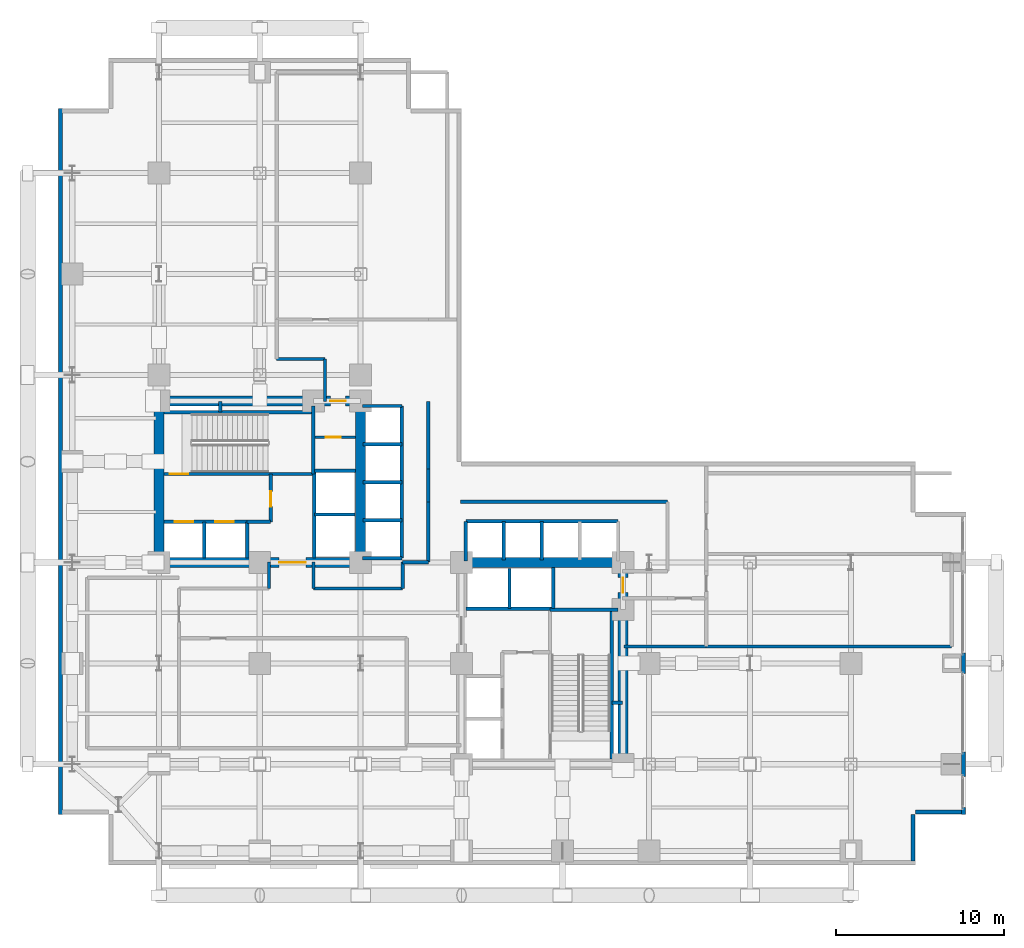
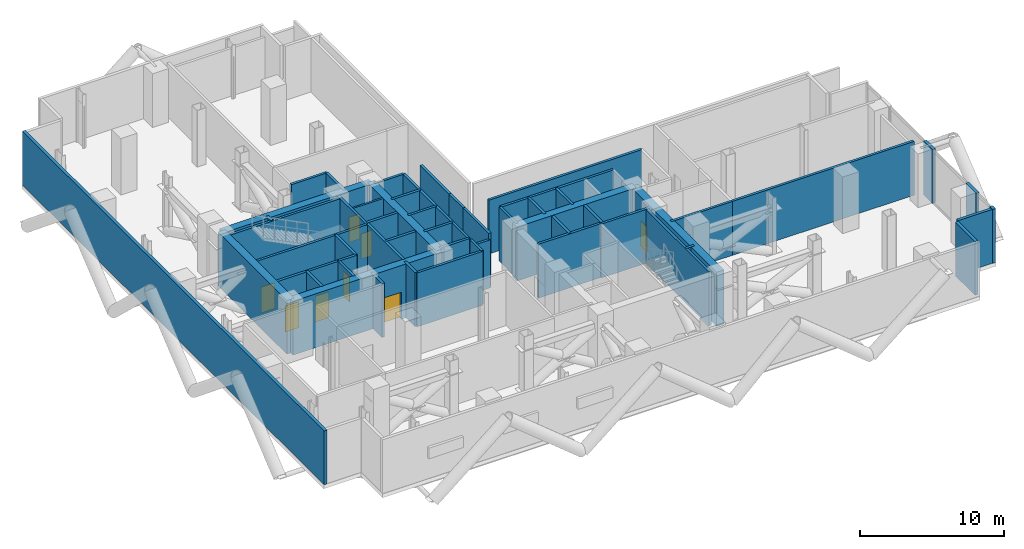
# One storey, part 8 of 10: 54 walls, 8 doors, 8 openings.
"""IFC4 building model written with IfcOpenShell, lengths in metres."""

from ifc_helpers import new_model, si_unit, direction, frame, frame_2d, origin, place, context, subcontext, project, spatial, rectangle, extrude, material, layer, layer_set, type_object, element, fill, save


model = new_model("IFC4")

# Units and contexts
model_context = context("Model", 3, precision=1e-05, world=origin(), true_north=direction((0.0, 1.0)))
body_context = subcontext(model_context, "Body", "Model", "MODEL_VIEW")
ifc_project = project(units=[si_unit("LENGTHUNIT", "METRE"), si_unit("AREAUNIT", "SQUARE_METRE"), si_unit("VOLUMEUNIT", "CUBIC_METRE"), si_unit("PLANEANGLEUNIT", "RADIAN"), si_unit("MASSUNIT", "GRAM", prefix="KILO"), si_unit("THERMODYNAMICTEMPERATUREUNIT", "KELVIN"), si_unit("POWERUNIT", "WATT")], contexts=[model_context])

# Site, building, storey
site_placement = place(None, origin())
site = spatial("IfcSite", under=ifc_project, at=site_placement, CompositionType="ELEMENT")
building_placement = place(site_placement, origin())
building = spatial("IfcBuilding", under=site, at=building_placement, Name="Svarakhadi Broadcast Tower", CompositionType="ELEMENT")
storey_placement = place(building_placement, frame((0.0, 0.0, 94.800048828125)))
storey = spatial("IfcBuildingStorey", under=building, at=storey_placement, Name="L22", CompositionType="ELEMENT", Elevation=94.800048828125)

# Walls
ifc_material_1 = material(Name="Concrete C40/50 (IS 456 M50)", Category="concrete")
ifc_layer_1 = layer(ifc_material_1, 0.239990234375)
ifc_layer_set_1 = layer_set([ifc_layer_1], Name="Concrete C40/50 (IS 456 M50)")
wall_type_1 = type_object("IfcWallType", Name="Wall_Ext_240", PredefinedType="SOLIDWALL", material=ifc_layer_set_1)
wall_1_placement = place(storey_placement, frame((0.14990234375, 3.0, 0.0), z_axis=(0.0, 0.0, 1.0), x_axis=(0.0, 1.0, 0.0)))
element("IfcWall", 1, at=wall_1_placement, inside=storey, type_object=wall_type_1, Name="L22 West Mechanical Acoustic Louvred Plant Wall", PredefinedType="SOLIDWALL", context=body_context, shape_type="SweptSolid", body=[
    extrude(rectangle(XDim=42.0, YDim=0.239990234375, at=frame_2d((21.0, 0.0))), origin(), (0.0, 0.0, 1.0), 4.574951171875),
])
wall_2_placement = place(storey_placement, frame((53.85009765625, 12.614990234375, 0.0), z_axis=(0.0, 0.0, 1.0), x_axis=(0.0, -1.0, 0.0)))
element("IfcWall", 2, at=wall_2_placement, inside=storey, type_object=wall_type_1, Name="L22 Perimeter Bronze Spandrel Closure Wall 11", PredefinedType="SOLIDWALL", context=body_context, shape_type="SweptSolid", body=[
    extrude(rectangle(XDim=1.22998046875, YDim=0.239990234375, at=frame_2d((0.614990234375, 0.0))), origin(), (0.0, 0.0, 1.0), 4.574951171875),
])
wall_3_placement = place(storey_placement, frame((53.85009765625, 6.715087890625, 0.0), z_axis=(0.0, 0.0, 1.0), x_axis=(0.0, -1.0, 0.0)))
element("IfcWall", 3, at=wall_3_placement, inside=storey, type_object=wall_type_1, Name="L22 Perimeter Bronze Spandrel Closure Wall 12", PredefinedType="SOLIDWALL", context=body_context, shape_type="SweptSolid", body=[
    extrude(rectangle(XDim=1.43017578125, YDim=0.239990234375, at=frame_2d((0.715087890625, 0.0))), origin(), (0.0, 0.0, 1.0), 4.574951171875),
])
wall_4_placement = place(storey_placement, frame((53.85009765625, 3.43505859375, 0.0), z_axis=(0.0, 0.0, 1.0), x_axis=(0.0, -1.0, 0.0)))
element("IfcWall", 4, at=wall_4_placement, inside=storey, type_object=wall_type_1, Name="L22 Perimeter Bronze Spandrel Closure Wall 13", PredefinedType="SOLIDWALL", context=body_context, shape_type="SweptSolid", body=[
    extrude(rectangle(XDim=0.43505859375, YDim=0.239990234375, at=frame_2d((0.217529296875, 0.0))), origin(), (0.0, 0.0, 1.0), 4.574951171875),
])
wall_5_placement = place(storey_placement, frame((53.72509765625, 3.14990234375, 0.0), z_axis=(0.0, 0.0, 1.0), x_axis=(-1.0, 0.0, 0.0)))
element("IfcWall", 5, at=wall_5_placement, inside=storey, type_object=wall_type_1, Name="L22 Perimeter Bronze Spandrel Closure Wall 14", PredefinedType="SOLIDWALL", context=body_context, shape_type="SweptSolid", body=[
    extrude(rectangle(XDim=2.72509765625, YDim=0.239990234375, at=frame_2d((1.362548828125, 0.0))), origin(), (0.0, 0.0, 1.0), 4.574951171875),
])
wall_6_placement = place(storey_placement, frame((50.85009765625, 3.0, 0.0), z_axis=(0.0, 0.0, 1.0), x_axis=(0.0, -1.0, 0.0)))
element("IfcWall", 6, at=wall_6_placement, inside=storey, type_object=wall_type_1, Name="L22 Perimeter Bronze Spandrel Closure Wall 15", PredefinedType="SOLIDWALL", context=body_context, shape_type="SweptSolid", body=[
    extrude(rectangle(XDim=2.7451171875, YDim=0.239990234375, at=frame_2d((1.37255859375, 0.0))), origin(), (0.0, 0.0, 1.0), 4.574951171875),
])
ifc_layer_2 = layer(ifc_material_1, 0.199951171875)
ifc_layer_set_2 = layer_set([ifc_layer_2], Name="Concrete C40/50 (IS 456 M50)")
wall_type_2 = type_object("IfcWallType", Name="Wall_Fire_200", PredefinedType="SOLIDWALL", material=ifc_layer_set_2)
for number, where, z_axis, x_axis, name in (
    (7, (9.659912109375, 26.93994140625, 0.0), (0.0, 0.0, 1.0), (0.0, 1.0, 0.0), "L22 Wet Riser Shaft East Wall"),
    (8, (32.93994140625, 9.659912109375, 0.0), (0.0, 0.0, 1.0), (1.0, 0.0, 0.0), "L22 HV Busduct Riser Shaft North Wall"),
):
    element("IfcWall", number, at=place(storey_placement, frame(where, z_axis=z_axis, x_axis=x_axis)), inside=storey, type_object=wall_type_2, Name=name, PredefinedType="SOLIDWALL", context=body_context, shape_type="SweptSolid", body=[
        extrude(rectangle(XDim=0.64013671875, YDim=0.199951171875, at=frame_2d((0.320068359375, 0.0))), origin(), (0.0, 0.0, 1.0), 4.574951171875),
    ])
for number, where, z_axis, x_axis, name in (
    (9, (12.550048828125, 16.449951171875, 0.0), (0.0, 0.0, 1.0), (0.0, 1.0, 0.0), "L22 Plant Service Corridor Wall"),
    (10, (15.199951171875, 18.02001953125, 0.0), (0.0, 0.0, 1.0), (0.0, -1.0, 0.0), "L22 Plant Service Corridor Wall"),
):
    element("IfcWall", number, at=place(storey_placement, frame(where, z_axis=z_axis, x_axis=x_axis)), inside=storey, type_object=wall_type_2, Name=name, PredefinedType="SOLIDWALL", context=body_context, shape_type="SweptSolid", body=[
        extrude(rectangle(XDim=1.570068359375, YDim=0.199951171875, at=frame_2d((0.78515625, 0.0))), origin(), (0.0, 0.0, 1.0), 4.574951171875),
    ])
wall_7_placement = place(storey_placement, frame((15.199951171875, 16.449951171875, 0.0), z_axis=(0.0, 0.0, 1.0), x_axis=(1.0, 0.0, 0.0)))
element("IfcWall", 11, at=wall_7_placement, inside=storey, type_object=wall_type_2, Name="L22 Plant Service Corridor Wall", PredefinedType="SOLIDWALL", context=body_context, shape_type="SweptSolid", body=[
    extrude(rectangle(XDim=5.300048828125, YDim=0.199951171875, at=frame_2d((2.64990234375, 0.0))), origin(), (0.0, 0.0, 1.0), 4.574951171875),
])
wall_8_placement = place(storey_placement, frame((20.5, 16.449951171875, 0.0), z_axis=(0.0, 0.0, 1.0), x_axis=(0.0, 1.0, 0.0)))
element("IfcWall", 12, at=wall_8_placement, inside=storey, type_object=wall_type_2, Name="L22 Plant Service Corridor Wall", PredefinedType="SOLIDWALL", context=body_context, shape_type="SweptSolid", body=[
    extrude(rectangle(XDim=1.570068359375, YDim=0.199951171875, at=frame_2d((0.78515625, 0.0))), origin(), (0.0, 0.0, 1.0), 4.574951171875),
])
wall_9_placement = place(storey_placement, frame((20.5, 18.02001953125, 0.0), z_axis=(0.0, 0.0, 1.0), x_axis=(1.0, 0.0, 0.0)))
element("IfcWall", 13, at=wall_9_placement, inside=storey, type_object=wall_type_2, Name="L22 Plant Service Corridor Wall", PredefinedType="SOLIDWALL", context=body_context, shape_type="SweptSolid", body=[
    extrude(rectangle(XDim=1.52001953125, YDim=0.199951171875, at=frame_2d((0.760009765625, 0.0))), origin(), (0.0, 0.0, 1.0), 4.06689453125),
])
wall_10_placement = place(storey_placement, frame((22.02001953125, 18.02001953125, 0.0), z_axis=(0.0, 0.0, 1.0), x_axis=(0.0, 1.0, 0.0)))
element("IfcWall", 14, at=wall_10_placement, inside=storey, type_object=wall_type_2, Name="L22 Plant Service Corridor Wall", PredefinedType="SOLIDWALL", context=body_context, shape_type="SweptSolid", body=[
    extrude(rectangle(XDim=3.580078125, YDim=0.199951171875, at=frame_2d((1.7900390625, 0.0))), origin(), (0.0, 0.0, 1.0), 4.574951171875),
])
wall_11_placement = place(storey_placement, frame((22.02001953125, 21.60009765625, 0.0), z_axis=(0.0, 0.0, 1.0), x_axis=(0.0, 1.0, 0.0)))
element("IfcWall", 15, at=wall_11_placement, inside=storey, type_object=wall_type_2, Name="L22 Plant Service Corridor Wall", PredefinedType="SOLIDWALL", context=body_context, shape_type="SweptSolid", body=[
    extrude(rectangle(XDim=1.949951171875, YDim=0.199951171875, at=frame_2d((0.97509765625, 0.0))), origin(), (0.0, 0.0, 1.0), 4.574951171875),
])
wall_12_placement = place(storey_placement, frame((22.02001953125, 23.550048828125, 0.0), z_axis=(0.0, 0.0, 1.0), x_axis=(0.0, 1.0, 0.0)))
element("IfcWall", 16, at=wall_12_placement, inside=storey, type_object=wall_type_2, Name="L22 Plant Service Corridor Wall", PredefinedType="SOLIDWALL", context=body_context, shape_type="SweptSolid", body=[
    extrude(rectangle(XDim=4.030029296875, YDim=0.199951171875, at=frame_2d((2.01513671875, 0.0))), origin(), (0.0, 0.0, 1.0), 4.574951171875),
])
wall_13_placement = place(storey_placement, frame((15.8798828125, 27.580078125, 0.0), z_axis=(0.0, 0.0, 1.0), x_axis=(0.0, 1.0, 0.0)))
element("IfcWall", 17, at=wall_13_placement, inside=storey, type_object=wall_type_2, Name="L22 Plant Service Corridor Wall", PredefinedType="SOLIDWALL", context=body_context, shape_type="SweptSolid", body=[
    extrude(rectangle(XDim=2.52001953125, YDim=0.199951171875, at=frame_2d((1.260009765625, 0.0))), origin(), (0.0, 0.0, 1.0), 4.574951171875),
])
wall_14_placement = place(storey_placement, frame((15.8798828125, 30.10009765625, 0.0), z_axis=(0.0, 0.0, 1.0), x_axis=(-1.0, 0.0, 0.0)))
element("IfcWall", 18, at=wall_14_placement, inside=storey, type_object=wall_type_2, Name="L22 Plant Service Corridor Wall", PredefinedType="SOLIDWALL", context=body_context, shape_type="SweptSolid", body=[
    extrude(rectangle(XDim=2.8798828125, YDim=0.199951171875, at=frame_2d((1.43994140625, 0.0))), origin(), (0.0, 0.0, 1.0), 4.574951171875),
])
wall_15_placement = place(storey_placement, frame((36.25, 21.60009765625, 0.0), z_axis=(0.0, 0.0, 1.0), x_axis=(-1.0, 0.0, 0.0)))
element("IfcWall", 19, at=wall_15_placement, inside=storey, type_object=wall_type_2, Name="L22 Plant Service Corridor Wall", PredefinedType="SOLIDWALL", context=body_context, shape_type="SweptSolid", body=[
    extrude(rectangle(XDim=12.300048828125, YDim=0.199951171875, at=frame_2d((6.14990234375, 0.0))), origin(), (0.0, 0.0, 1.0), 4.574951171875),
])
wall_16_placement = place(storey_placement, frame((38.550048828125, 13.0, 0.0), z_axis=(0.0, 0.0, 1.0), x_axis=(1.0, 0.0, 0.0)))
element("IfcWall", 20, at=wall_16_placement, inside=storey, type_object=wall_type_2, Name="L22 Pressurised Fire Refuge Area East Wall", PredefinedType="SOLIDWALL", context=body_context, shape_type="SweptSolid", body=[
    extrude(rectangle(XDim=14.599853515625, YDim=0.199951171875, at=frame_2d((7.2998046875, 0.0))), origin(), (0.0, 0.0, 1.0), 4.574951171875),
])
wall_17_placement = place(storey_placement, frame((33.64990234375, 13.0, 0.0), z_axis=(0.0, 0.0, 1.0), x_axis=(1.0, 0.0, 0.0)))
element("IfcWall", 21, at=wall_17_placement, inside=storey, type_object=wall_type_2, Name="L22 Stairwell Pressurisation Fan Plant Room Wall", PredefinedType="SOLIDWALL", context=body_context, shape_type="SweptSolid", body=[
    extrude(rectangle(XDim=4.900146484375, YDim=0.199951171875, at=frame_2d((2.4501953125, 0.0))), origin(), (0.0, 0.0, 1.0), 4.574951171875),
])

# Wall, opening, door
ifc_material_2 = material(Name="Autoclaved Aerated Concrete Blockwork 150 mm", Category="masonry")
ifc_layer_3 = layer(ifc_material_2, 0.14990234375)
ifc_layer_set_3 = layer_set([ifc_layer_3], Name="Autoclaved Aerated Concrete Blockwork 150 mm")
wall_type_3 = type_object("IfcWallType", Name="Wall_Part_150", PredefinedType="PARTITIONING", material=ifc_layer_set_3)
wall_18_placement = place(storey_placement, frame((15.280029296875, 25.43994140625, 0.0), z_axis=(0.0, 0.0, 1.0), x_axis=(1.0, 0.0, 0.0)))
wall_18 = element("IfcWall", 22, at=wall_18_placement, inside=storey, type_object=wall_type_3, Name="L22 West Core Service Split Wall", PredefinedType="PARTITIONING", context=body_context, shape_type="SweptSolid", body=[
    extrude(rectangle(XDim=2.419921875, YDim=0.14990234375, at=frame_2d((1.2099609375, 0.0))), origin(), (0.0, 0.0, 1.0), 4.574951171875),
])
opening_1_placement = place(wall_18_placement, frame((0.64990234375, 0.0, 0.0)))
opening_1 = element("IfcOpeningElement", 23, at=opening_1_placement, cuts=wall_18, Name="Opening D-04", PredefinedType="OPENING", context=body_context, shape_type="SweptSolid", body=[
    extrude(rectangle(XDim=0.89990234375, YDim=2.14990234375, at=frame_2d((0.449951171875, 1.074951171875))), frame((0.0, 0.0849609375, 0.0), z_axis=(0.0, -1.0, 0.0), x_axis=(1.0, 0.0, 0.0)), (0.0, 0.0, 1.0), 0.169921875),
])
ifc_material_3 = material(Name="Galvanised Powder-Coated Fire-Rated Steel Leaf", Category="steel")
door_type_1 = type_object("IfcDoorType", Name="Door_Fire_D04", OperationType="SINGLE_SWING_RIGHT", PredefinedType="DOOR", material=ifc_material_3)
door_1_placement = place(opening_1_placement, origin())
door_1 = element("IfcDoor", 24, at=door_1_placement, inside=storey, type_object=door_type_1, Name="L22 West Core Inner Store Door", OperationType="SINGLE_SWING_RIGHT", OverallHeight=2.14990234375, OverallWidth=0.89990234375, PredefinedType="DOOR", context=body_context, shape_type="SweptSolid", body=[
    extrude(rectangle(XDim=0.89990234375, YDim=2.14990234375, at=frame_2d((0.449951171875, 1.074951171875))), frame((0.0, 0.02490234375, 0.0), z_axis=(0.0, -1.0, 0.0), x_axis=(1.0, 0.0, 0.0)), (0.0, 0.0, 1.0), 0.050048828125),
])
fill(opening_1, door_1)

ifc_material_4 = material(Name="Concrete C50/60 (IS 456 M60)", Category="concrete")
ifc_layer_4 = layer(ifc_material_4, 0.199951171875)
ifc_layer_set_4 = layer_set([ifc_layer_4], Name="Concrete C50/60 (IS 456 M60)")
wall_type_4 = type_object("IfcWallType", Name="Wall_Shear_200", PredefinedType="SHEAR", material=ifc_layer_set_4)
wall_19_placement = place(storey_placement, frame((6.300048828125, 23.260009765625, 0.0), z_axis=(0.0, 0.0, 1.0), x_axis=(1.0, 0.0, 0.0)))
wall_19 = element("IfcWall", 25, at=wall_19_placement, inside=storey, type_object=wall_type_4, Name="L22 Stair ST-01 South RC Shaft Wall", PredefinedType="SHEAR", context=body_context, shape_type="SweptSolid", body=[
    extrude(rectangle(XDim=8.8798828125, YDim=0.199951171875, at=frame_2d((4.43994140625, 0.0))), origin(), (0.0, 0.0, 1.0), 4.574951171875),
])
opening_2_placement = place(wall_19_placement, frame((0.35009765625, 0.0, 0.0)))
opening_2 = element("IfcOpeningElement", 26, at=opening_2_placement, cuts=wall_19, Name="Opening D-01", PredefinedType="OPENING", context=body_context, shape_type="SweptSolid", body=[
    extrude(rectangle(XDim=1.10009765625, YDim=2.199951171875, at=frame_2d((0.550048828125, 1.10009765625))), frame((0.0, 0.10986328125, 0.0), z_axis=(0.0, -1.0, 0.0), x_axis=(1.0, 0.0, 0.0)), (0.0, 0.0, 1.0), 0.219970703125),
])
door_type_2 = type_object("IfcDoorType", Name="Door_Stair_D01", OperationType="SINGLE_SWING_LEFT", PredefinedType="DOOR", material=ifc_material_3)
door_2_placement = place(opening_2_placement, origin())
door_2 = element("IfcDoor", 27, at=door_2_placement, inside=storey, type_object=door_type_2, Name="L22 Protected Exit Stair ST-01 Fire Door", OperationType="SINGLE_SWING_LEFT", OverallHeight=2.199951171875, OverallWidth=1.10009765625, PredefinedType="DOOR", context=body_context, shape_type="SweptSolid", body=[
    extrude(rectangle(XDim=1.10009765625, YDim=2.199951171875, at=frame_2d((0.550048828125, 1.10009765625))), frame((0.0, 0.02490234375, 0.0), z_axis=(0.0, -1.0, 0.0), x_axis=(1.0, 0.0, 0.0)), (0.0, 0.0, 1.0), 0.050048828125),
])
fill(opening_2, door_2)

# Walls
wall_20_placement = place(storey_placement, frame((6.300048828125, 26.93994140625, 0.0), z_axis=(0.0, 0.0, 1.0), x_axis=(1.0, 0.0, 0.0)))
element("IfcWall", 28, at=wall_20_placement, inside=storey, type_object=wall_type_4, Name="L22 Stair ST-01 North RC Shaft Wall", PredefinedType="SHEAR", context=body_context, shape_type="SweptSolid", body=[
    extrude(rectangle(XDim=8.8798828125, YDim=0.199951171875, at=frame_2d((4.43994140625, 0.0))), origin(), (0.0, 0.0, 1.0), 4.574951171875),
])
wall_21_placement = place(storey_placement, frame((15.179931640625, 23.260009765625, 0.0), z_axis=(0.0, 0.0, 1.0), x_axis=(0.0, 1.0, 0.0)))
element("IfcWall", 29, at=wall_21_placement, inside=storey, type_object=wall_type_4, Name="L22 Stair ST-01 East RC Shaft Wall", PredefinedType="SHEAR", context=body_context, shape_type="SweptSolid", body=[
    extrude(rectangle(XDim=4.0400390625, YDim=0.199951171875, at=frame_2d((2.02001953125, 0.0))), origin(), (0.0, 0.0, 1.0), 4.574951171875),
])
wall_22_placement = place(storey_placement, frame((32.93994140625, 6.300048828125, 0.0), z_axis=(0.0, 0.0, 1.0), x_axis=(0.0, 1.0, 0.0)))
element("IfcWall", 30, at=wall_22_placement, inside=storey, type_object=wall_type_4, Name="L22 Stair ST-02 East RC Shaft Wall", PredefinedType="SHEAR", context=body_context, shape_type="SweptSolid", body=[
    extrude(rectangle(XDim=8.8798828125, YDim=0.199951171875, at=frame_2d((4.43994140625, 0.0))), origin(), (0.0, 0.0, 1.0), 4.574951171875),
])
wall_23_placement = place(storey_placement, frame((29.260009765625, 15.179931640625, 0.0), z_axis=(0.0, 0.0, 1.0), x_axis=(1.0, 0.0, 0.0)))
element("IfcWall", 31, at=wall_23_placement, inside=storey, type_object=wall_type_4, Name="L22 Stair ST-02 North RC Shaft Wall", PredefinedType="SHEAR", context=body_context, shape_type="SweptSolid", body=[
    extrude(rectangle(XDim=4.0400390625, YDim=0.199951171875, at=frame_2d((2.02001953125, 0.0))), origin(), (0.0, 0.0, 1.0), 4.574951171875),
])

# Wall, openings, doors
wall_24_placement = place(storey_placement, frame((6.300048828125, 20.419921875, 0.0), z_axis=(0.0, 0.0, 1.0), x_axis=(1.0, 0.0, 0.0)))
wall_24 = element("IfcWall", 32, at=wall_24_placement, inside=storey, type_object=wall_type_4, Name="L22 Firefighting Lift LF-01/02 Shaft Wall", PredefinedType="SHEAR", context=body_context, shape_type="SweptSolid", body=[
    extrude(rectangle(XDim=4.949951171875, YDim=0.199951171875, at=frame_2d((2.47509765625, 0.0))), origin(), (0.0, 0.0, 1.0), 4.574951171875),
])
opening_3_placement = place(wall_24_placement, frame((0.64990234375, 0.0, 0.0)))
opening_3 = element("IfcOpeningElement", 33, at=opening_3_placement, cuts=wall_24, Name="Opening LD-01", PredefinedType="OPENING", context=body_context, shape_type="SweptSolid", body=[
    extrude(rectangle(XDim=1.10009765625, YDim=2.199951171875, at=frame_2d((0.550048828125, 1.10009765625))), frame((0.0, 0.10986328125, 0.0), z_axis=(0.0, -1.0, 0.0), x_axis=(1.0, 0.0, 0.0)), (0.0, 0.0, 1.0), 0.219970703125),
])
opening_4_placement = place(wall_24_placement, frame((3.050048828125, 0.0, 0.0)))
opening_4 = element("IfcOpeningElement", 34, at=opening_4_placement, cuts=wall_24, Name="Opening LD-01", PredefinedType="OPENING", context=body_context, shape_type="SweptSolid", body=[
    extrude(rectangle(XDim=1.10009765625, YDim=2.199951171875, at=frame_2d((0.550048828125, 1.10009765625))), frame((0.0, 0.10986328125, 0.0), z_axis=(0.0, -1.0, 0.0), x_axis=(1.0, 0.0, 0.0)), (0.0, 0.0, 1.0), 0.219970703125),
])
door_type_3 = type_object("IfcDoorType", Name="Door_Lift_LD01", OperationType="SLIDING_TO_LEFT", PredefinedType="DOOR", material=ifc_material_3)
door_3_placement = place(opening_3_placement, origin())
door_3 = element("IfcDoor", 35, at=door_3_placement, inside=storey, type_object=door_type_3, Name="L22 Firefighting Lift LF-01 Landing Door", OperationType="SLIDING_TO_LEFT", OverallHeight=2.199951171875, OverallWidth=1.10009765625, PredefinedType="DOOR", context=body_context, shape_type="SweptSolid", body=[
    extrude(rectangle(XDim=1.10009765625, YDim=2.199951171875, at=frame_2d((0.550048828125, 1.10009765625))), frame((0.0, 0.02490234375, 0.0), z_axis=(0.0, -1.0, 0.0), x_axis=(1.0, 0.0, 0.0)), (0.0, 0.0, 1.0), 0.050048828125),
])
fill(opening_3, door_3)
door_4_placement = place(opening_4_placement, origin())
door_4 = element("IfcDoor", 36, at=door_4_placement, inside=storey, type_object=door_type_3, Name="L22 Firefighting Lift LF-02 Landing Door", OperationType="SLIDING_TO_LEFT", OverallHeight=2.199951171875, OverallWidth=1.10009765625, PredefinedType="DOOR", context=body_context, shape_type="SweptSolid", body=[
    extrude(rectangle(XDim=1.10009765625, YDim=2.199951171875, at=frame_2d((0.550048828125, 1.10009765625))), frame((0.0, 0.02490234375, 0.0), z_axis=(0.0, -1.0, 0.0), x_axis=(1.0, 0.0, 0.0)), (0.0, 0.0, 1.0), 0.050048828125),
])
fill(opening_4, door_4)

# Walls
for number, where, z_axis, x_axis, name in (
    (37, (8.699951171875, 18.25, 0.0), (0.0, 0.0, 1.0), (0.0, 1.0, 0.0), "L22 Firefighting Lift LF-01/02 Divider Wall"),
    (38, (11.25, 18.25, 0.0), (0.0, 0.0, 1.0), (0.0, 1.0, 0.0), "L22 Firefighting Lift LF-02 East Wall"),
):
    element("IfcWall", number, at=place(storey_placement, frame(where, z_axis=z_axis, x_axis=x_axis)), inside=storey, type_object=wall_type_4, Name=name, PredefinedType="SHEAR", context=body_context, shape_type="SweptSolid", body=[
        extrude(rectangle(XDim=2.169921875, YDim=0.199951171875, at=frame_2d((1.0849609375, 0.0))), origin(), (0.0, 0.0, 1.0), 4.574951171875),
    ])
wall_25_placement = place(storey_placement, frame((11.25, 20.419921875, 0.0), z_axis=(0.0, 0.0, 1.0), x_axis=(1.0, 0.0, 0.0)))
element("IfcWall", 39, at=wall_25_placement, inside=storey, type_object=wall_type_4, Name="L22 West Firefighting Lobby South Wall", PredefinedType="SHEAR", context=body_context, shape_type="SweptSolid", body=[
    extrude(rectangle(XDim=1.39990234375, YDim=0.199951171875, at=frame_2d((0.699951171875, 0.0))), origin(), (0.0, 0.0, 1.0), 4.574951171875),
])

# Wall, opening, door
wall_26_placement = place(storey_placement, frame((12.64990234375, 20.419921875, 0.0), z_axis=(0.0, 0.0, 1.0), x_axis=(0.0, 1.0, 0.0)))
wall_26 = element("IfcWall", 40, at=wall_26_placement, inside=storey, type_object=wall_type_4, Name="L22 West Firefighting Lobby East Wall", PredefinedType="SHEAR", context=body_context, shape_type="SweptSolid", body=[
    extrude(rectangle(XDim=2.840087890625, YDim=0.199951171875, at=frame_2d((1.419921875, 0.0))), origin(), (0.0, 0.0, 1.0), 4.574951171875),
])
opening_5_placement = place(wall_26_placement, frame((0.89990234375, 0.0, 0.0)))
opening_5 = element("IfcOpeningElement", 41, at=opening_5_placement, cuts=wall_26, Name="Opening D-04", PredefinedType="OPENING", context=body_context, shape_type="SweptSolid", body=[
    extrude(rectangle(XDim=0.89990234375, YDim=2.14990234375, at=frame_2d((0.449951171875, 1.074951171875))), frame((0.0, 0.10986328125, 0.0), z_axis=(0.0, -1.0, 0.0), x_axis=(1.0, 0.0, 0.0)), (0.0, 0.0, 1.0), 0.219970703125),
])
door_5_placement = place(opening_5_placement, origin())
door_5 = element("IfcDoor", 42, at=door_5_placement, inside=storey, type_object=door_type_1, Name="L22 West Firefighting Lobby Fire Door", OperationType="SINGLE_SWING_RIGHT", OverallHeight=2.14990234375, OverallWidth=0.89990234375, PredefinedType="DOOR", context=body_context, shape_type="SweptSolid", body=[
    extrude(rectangle(XDim=0.89990234375, YDim=2.14990234375, at=frame_2d((0.449951171875, 1.074951171875))), frame((0.0, 0.02490234375, 0.0), z_axis=(0.0, -1.0, 0.0), x_axis=(1.0, 0.0, 0.0)), (0.0, 0.0, 1.0), 0.050048828125),
])
fill(opening_5, door_5)

# Walls
wall_27_placement = place(storey_placement, frame((15.25, 18.25, 0.0), z_axis=(0.0, 0.0, 1.0), x_axis=(0.0, 1.0, 0.0)))
element("IfcWall", 43, at=wall_27_placement, inside=storey, type_object=wall_type_4, Name="L22 High-Rise Lift LF-13/14 West Shaft Wall", PredefinedType="SHEAR", context=body_context, shape_type="SweptSolid", body=[
    extrude(rectangle(XDim=5.199951171875, YDim=0.199951171875, at=frame_2d((2.60009765625, 0.0))), origin(), (0.0, 0.0, 1.0), 4.574951171875),
])
wall_28_placement = place(storey_placement, frame((15.25, 20.85009765625, 0.0), z_axis=(0.0, 0.0, 1.0), x_axis=(1.0, 0.0, 0.0)))
element("IfcWall", 44, at=wall_28_placement, inside=storey, type_object=wall_type_4, Name="L22 High-Rise Lift LF-13/14 Divider", PredefinedType="SHEAR", context=body_context, shape_type="SweptSolid", body=[
    extrude(rectangle(XDim=2.39990234375, YDim=0.199951171875, at=frame_2d((1.199951171875, 0.0))), origin(), (0.0, 0.0, 1.0), 4.574951171875),
])
wall_29_placement = place(storey_placement, frame((15.25, 23.449951171875, 0.0), z_axis=(0.0, 0.0, 1.0), x_axis=(1.0, 0.0, 0.0)))
element("IfcWall", 45, at=wall_29_placement, inside=storey, type_object=wall_type_4, Name="L22 High-Rise Lift LF-13/14 North Wall", PredefinedType="SHEAR", context=body_context, shape_type="SweptSolid", body=[
    extrude(rectangle(XDim=2.449951171875, YDim=0.199951171875, at=frame_2d((1.22509765625, 0.0))), origin(), (0.0, 0.0, 1.0), 4.574951171875),
])
wall_30_placement = place(storey_placement, frame((24.25, 15.25, 0.0), z_axis=(0.0, 0.0, 1.0), x_axis=(1.0, 0.0, 0.0)))
element("IfcWall", 46, at=wall_30_placement, inside=storey, type_object=wall_type_4, Name="L22 High-Rise Lift LF-15/16 South Shaft Wall", PredefinedType="SHEAR", context=body_context, shape_type="SweptSolid", body=[
    extrude(rectangle(XDim=5.199951171875, YDim=0.199951171875, at=frame_2d((2.60009765625, 0.0))), origin(), (0.0, 0.0, 1.0), 4.574951171875),
])
wall_31_placement = place(storey_placement, frame((26.85009765625, 15.25, 0.0), z_axis=(0.0, 0.0, 1.0), x_axis=(0.0, 1.0, 0.0)))
element("IfcWall", 47, at=wall_31_placement, inside=storey, type_object=wall_type_4, Name="L22 High-Rise Lift LF-15/16 Divider", PredefinedType="SHEAR", context=body_context, shape_type="SweptSolid", body=[
    extrude(rectangle(XDim=2.39990234375, YDim=0.199951171875, at=frame_2d((1.199951171875, 0.0))), origin(), (0.0, 0.0, 1.0), 4.574951171875),
])
wall_32_placement = place(storey_placement, frame((29.449951171875, 15.25, 0.0), z_axis=(0.0, 0.0, 1.0), x_axis=(0.0, 1.0, 0.0)))
element("IfcWall", 48, at=wall_32_placement, inside=storey, type_object=wall_type_4, Name="L22 High-Rise Lift LF-15/16 East Wall", PredefinedType="SHEAR", context=body_context, shape_type="SweptSolid", body=[
    extrude(rectangle(XDim=2.449951171875, YDim=0.199951171875, at=frame_2d((1.22509765625, 0.0))), origin(), (0.0, 0.0, 1.0), 4.574951171875),
])
for number, where, z_axis, x_axis, name in (
    (49, (18.10009765625, 27.300048828125, 0.0), (0.0, 0.0, 1.0), (1.0, 0.0, 0.0), "L22 Bank A North Shaft Wall"),
    (50, (18.10009765625, 18.25, 0.0), (0.0, 0.0, 1.0), (1.0, 0.0, 0.0), "L22 Bank A South Shaft Wall"),
):
    element("IfcWall", number, at=place(storey_placement, frame(where, z_axis=z_axis, x_axis=x_axis)), inside=storey, type_object=wall_type_4, Name=name, PredefinedType="SHEAR", context=body_context, shape_type="SweptSolid", body=[
        extrude(rectangle(XDim=2.349853515625, YDim=0.199951171875, at=frame_2d((1.1748046875, 0.0))), origin(), (0.0, 0.0, 1.0), 4.574951171875),
    ])
wall_33_placement = place(storey_placement, frame((20.449951171875, 18.25, 0.0), z_axis=(0.0, 0.0, 1.0), x_axis=(0.0, 1.0, 0.0)))
element("IfcWall", 51, at=wall_33_placement, inside=storey, type_object=wall_type_4, Name="L22 Bank A East Landing Wall", PredefinedType="SHEAR", context=body_context, shape_type="SweptSolid", body=[
    extrude(rectangle(XDim=9.050048828125, YDim=0.199951171875, at=frame_2d((4.52490234375, 0.0))), origin(), (0.0, 0.0, 1.0), 4.574951171875),
])
for number, where, z_axis, x_axis, name in (
    (52, (18.14990234375, 20.52001953125, 0.0), (0.0, 0.0, 1.0), (1.0, 0.0, 0.0), "L22 Bank A Divider"),
    (53, (18.14990234375, 22.77001953125, 0.0), (0.0, 0.0, 1.0), (1.0, 0.0, 0.0), "L22 Bank A Divider"),
    (54, (18.14990234375, 25.02001953125, 0.0), (0.0, 0.0, 1.0), (1.0, 0.0, 0.0), "L22 Bank A Divider"),
):
    element("IfcWall", number, at=place(storey_placement, frame(where, z_axis=z_axis, x_axis=x_axis)), inside=storey, type_object=wall_type_4, Name=name, PredefinedType="SHEAR", context=body_context, shape_type="SweptSolid", body=[
        extrude(rectangle(XDim=2.300048828125, YDim=0.199951171875, at=frame_2d((1.14990234375, 0.0))), origin(), (0.0, 0.0, 1.0), 4.574951171875),
    ])
wall_34_placement = place(storey_placement, frame((24.25, 18.10009765625, 0.0), z_axis=(0.0, 0.0, 1.0), x_axis=(0.0, 1.0, 0.0)))
element("IfcWall", 55, at=wall_34_placement, inside=storey, type_object=wall_type_4, Name="L22 Bank B West Shaft Wall", PredefinedType="SHEAR", context=body_context, shape_type="SweptSolid", body=[
    extrude(rectangle(XDim=2.349853515625, YDim=0.199951171875, at=frame_2d((1.1748046875, 0.0))), origin(), (0.0, 0.0, 1.0), 4.574951171875),
])
wall_35_placement = place(storey_placement, frame((24.25, 20.449951171875, 0.0), z_axis=(0.0, 0.0, 1.0), x_axis=(1.0, 0.0, 0.0)))
element("IfcWall", 56, at=wall_35_placement, inside=storey, type_object=wall_type_4, Name="L22 Bank B North Landing Wall", PredefinedType="SHEAR", context=body_context, shape_type="SweptSolid", body=[
    extrude(rectangle(XDim=9.050048828125, YDim=0.199951171875, at=frame_2d((4.52490234375, 0.0))), origin(), (0.0, 0.0, 1.0), 4.574951171875),
])
for number, where, z_axis, x_axis, name in (
    (57, (26.52001953125, 18.14990234375, 0.0), (0.0, 0.0, 1.0), (0.0, 1.0, 0.0), "L22 Bank B Divider"),
    (58, (28.77001953125, 18.14990234375, 0.0), (0.0, 0.0, 1.0), (0.0, 1.0, 0.0), "L22 Bank B Divider"),
):
    element("IfcWall", number, at=place(storey_placement, frame(where, z_axis=z_axis, x_axis=x_axis)), inside=storey, type_object=wall_type_4, Name=name, PredefinedType="SHEAR", context=body_context, shape_type="SweptSolid", body=[
        extrude(rectangle(XDim=2.300048828125, YDim=0.199951171875, at=frame_2d((1.14990234375, 0.0))), origin(), (0.0, 0.0, 1.0), 4.574951171875),
    ])

# Wall, opening, door
ifc_material_5 = material(Name="Concrete C60/75 (IS 456 M70)", Category="concrete")
ifc_layer_5 = layer(ifc_material_5, 0.60009765625)
ifc_layer_set_5 = layer_set([ifc_layer_5], Name="Concrete C60/75 (IS 456 M70)")
wall_type_5 = type_object("IfcWallType", Name="Wall_Shear_600", PredefinedType="SHEAR", material=ifc_layer_set_5)
wall_36_placement = place(storey_placement, frame((6.0, 18.0, 0.0), z_axis=(0.0, 0.0, 1.0), x_axis=(1.0, 0.0, 0.0)))
wall_36 = element("IfcWall", 59, at=wall_36_placement, inside=storey, type_object=wall_type_5, Name="L22 West Core South Shear Wall", PredefinedType="SHEAR", context=body_context, shape_type="SweptSolid", body=[
    extrude(rectangle(XDim=12.0, YDim=0.60009765625, at=frame_2d((6.0, 0.0))), origin(), (0.0, 0.0, 1.0), 4.574951171875),
])
opening_6_placement = place(wall_36_placement, frame((7.14990234375, 0.0, 0.0)))
opening_6 = element("IfcOpeningElement", 60, at=opening_6_placement, cuts=wall_36, Name="Opening D-05", PredefinedType="OPENING", context=body_context, shape_type="SweptSolid", body=[
    extrude(rectangle(XDim=1.60009765625, YDim=2.300048828125, at=frame_2d((0.800048828125, 1.14990234375))), frame((0.0, 0.31005859375, 0.0), z_axis=(0.0, -1.0, 0.0), x_axis=(1.0, 0.0, 0.0)), (0.0, 0.0, 1.0), 0.6201171875),
])
ifc_material_6 = material(Name="Anodised Bronze Aluminium AA 6063-T6", Category="aluminium")
door_type_4 = type_object("IfcDoorType", Name="Door_Lobby_D05", OperationType="DOUBLE_DOOR_SLIDING", PredefinedType="DOOR", material=ifc_material_6)
door_6_placement = place(opening_6_placement, origin())
door_6 = element("IfcDoor", 61, at=door_6_placement, inside=storey, type_object=door_type_4, Name="L22 West Core Passenger Lift Lobby Entrance Door", OperationType="DOUBLE_DOOR_SLIDING", OverallHeight=2.300048828125, OverallWidth=1.60009765625, PredefinedType="DOOR", context=body_context, shape_type="SweptSolid", body=[
    extrude(rectangle(XDim=1.60009765625, YDim=2.300048828125, at=frame_2d((0.800048828125, 1.14990234375))), frame((0.0, 0.02490234375, 0.0), z_axis=(0.0, -1.0, 0.0), x_axis=(1.0, 0.0, 0.0)), (0.0, 0.0, 1.0), 0.050048828125),
])
fill(opening_6, door_6)

wall_37_placement = place(storey_placement, frame((6.0, 27.60009765625, 0.0), z_axis=(0.0, 0.0, 1.0), x_axis=(1.0, 0.0, 0.0)))
wall_37 = element("IfcWall", 62, at=wall_37_placement, inside=storey, type_object=wall_type_5, Name="L22 West Core North Shear Wall", PredefinedType="SHEAR", context=body_context, shape_type="SweptSolid", body=[
    extrude(rectangle(XDim=12.0, YDim=0.60009765625, at=frame_2d((6.0, 0.0))), origin(), (0.0, 0.0, 1.0), 4.574951171875),
])
opening_7_placement = place(wall_37_placement, frame((10.199951171875, 0.0, 0.0)))
opening_7 = element("IfcOpeningElement", 63, at=opening_7_placement, cuts=wall_37, Name="Opening D-03", PredefinedType="OPENING", context=body_context, shape_type="SweptSolid", body=[
    extrude(rectangle(XDim=0.89990234375, YDim=2.14990234375, at=frame_2d((0.449951171875, 1.074951171875))), frame((0.0, 0.31005859375, 0.0), z_axis=(0.0, -1.0, 0.0), x_axis=(1.0, 0.0, 0.0)), (0.0, 0.0, 1.0), 0.6201171875),
])
door_type_5 = type_object("IfcDoorType", Name="Door_Fire_D03", OperationType="SINGLE_SWING_LEFT", PredefinedType="DOOR", material=ifc_material_3)
door_7_placement = place(opening_7_placement, origin())
door_7 = element("IfcDoor", 64, at=door_7_placement, inside=storey, type_object=door_type_5, Name="L22 West Core Outer Store Door", OperationType="SINGLE_SWING_LEFT", OverallHeight=2.14990234375, OverallWidth=0.89990234375, PredefinedType="DOOR", context=body_context, shape_type="SweptSolid", body=[
    extrude(rectangle(XDim=0.89990234375, YDim=2.14990234375, at=frame_2d((0.449951171875, 1.074951171875))), frame((0.0, 0.02490234375, 0.0), z_axis=(0.0, -1.0, 0.0), x_axis=(1.0, 0.0, 0.0)), (0.0, 0.0, 1.0), 0.050048828125),
])
fill(opening_7, door_7)

# Walls
for number, where, z_axis, x_axis, name in (
    (65, (6.0, 18.0, 0.0), (0.0, 0.0, 1.0), (0.0, 1.0, 0.0), "L22 West Core West Shear Wall"),
    (66, (18.0, 18.0, 0.0), (0.0, 0.0, 1.0), (0.0, 1.0, 0.0), "L22 West Core East Shear Wall"),
    (67, (24.0, 18.0, 0.0), (0.0, 0.0, 1.0), (1.0, 0.0, 0.0), "L22 East Core North Shear Wall"),
):
    element("IfcWall", number, at=place(storey_placement, frame(where, z_axis=z_axis, x_axis=x_axis)), inside=storey, type_object=wall_type_5, Name=name, PredefinedType="SHEAR", context=body_context, shape_type="SweptSolid", body=[
        extrude(rectangle(XDim=9.60009765625, YDim=0.60009765625, at=frame_2d((4.800048828125, 0.0))), origin(), (0.0, 0.0, 1.0), 4.574951171875),
    ])

# Wall, opening, door
wall_38_placement = place(storey_placement, frame((33.60009765625, 6.0, 0.0), z_axis=(0.0, 0.0, 1.0), x_axis=(0.0, 1.0, 0.0)))
wall_38 = element("IfcWall", 68, at=wall_38_placement, inside=storey, type_object=wall_type_5, Name="L22 East Core East Shear Wall", PredefinedType="SHEAR", context=body_context, shape_type="SweptSolid", body=[
    extrude(rectangle(XDim=12.0, YDim=0.60009765625, at=frame_2d((6.0, 0.0))), origin(), (0.0, 0.0, 1.0), 4.574951171875),
])
opening_8_placement = place(wall_38_placement, frame((10.199951171875, 0.0, 0.0)))
opening_8 = element("IfcOpeningElement", 69, at=opening_8_placement, cuts=wall_38, Name="Opening D-03", PredefinedType="OPENING", context=body_context, shape_type="SweptSolid", body=[
    extrude(rectangle(XDim=0.89990234375, YDim=2.14990234375, at=frame_2d((0.449951171875, 1.074951171875))), frame((0.0, 0.31005859375, 0.0), z_axis=(0.0, -1.0, 0.0), x_axis=(1.0, 0.0, 0.0)), (0.0, 0.0, 1.0), 0.6201171875),
])
door_8_placement = place(opening_8_placement, origin())
door_8 = element("IfcDoor", 70, at=door_8_placement, inside=storey, type_object=door_type_5, Name="L22 East Core Service Store Door", OperationType="SINGLE_SWING_LEFT", OverallHeight=2.14990234375, OverallWidth=0.89990234375, PredefinedType="DOOR", context=body_context, shape_type="SweptSolid", body=[
    extrude(rectangle(XDim=0.89990234375, YDim=2.14990234375, at=frame_2d((0.449951171875, 1.074951171875))), frame((0.0, 0.02490234375, 0.0), z_axis=(0.0, -1.0, 0.0), x_axis=(1.0, 0.0, 0.0)), (0.0, 0.0, 1.0), 0.050048828125),
])
fill(opening_8, door_8)

save(model, "model.ifc")
